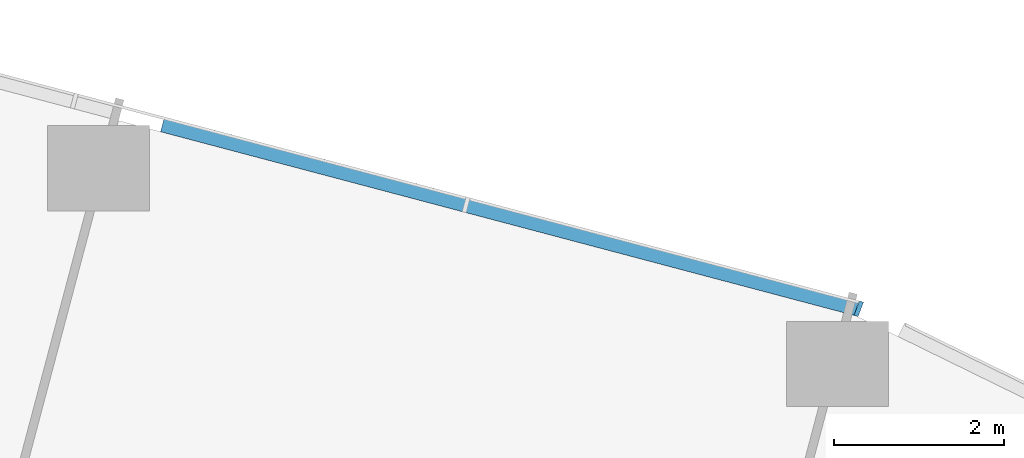
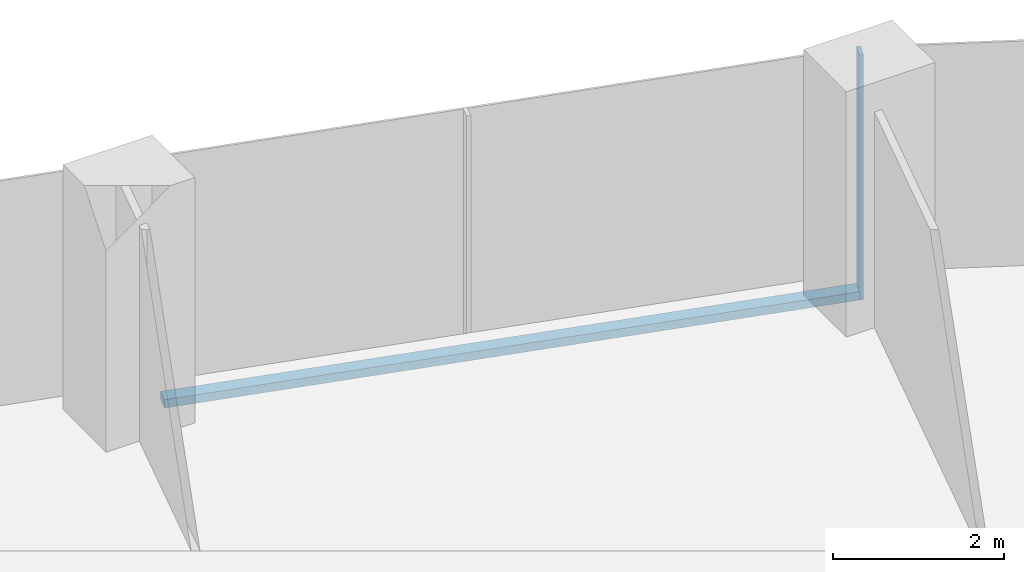
# One storey, part 15 of 34: 2 members, 2 elements without a shape of their own.
"""IFC4 building model written with IfcOpenShell, lengths in metres."""

from ifc_helpers import new_model, si_unit, direction, frame, origin, origin_2d, place, context, subcontext, project, spatial, rectangle, extrude, material, material_profile, profile_set, type_object, element, aggregate, save


model = new_model("IFC4")

# Units and contexts
model_context = context("Model", 3, precision=1e-05, world=origin(), true_north=direction((0.0, 1.0)))
body_context = subcontext(model_context, "Body", "Model", "MODEL_VIEW")
ifc_project = project(units=[si_unit("LENGTHUNIT", "METRE"), si_unit("AREAUNIT", "SQUARE_METRE"), si_unit("VOLUMEUNIT", "CUBIC_METRE"), si_unit("PLANEANGLEUNIT", "RADIAN"), si_unit("MASSUNIT", "GRAM", prefix="KILO")], contexts=[model_context])

# Site, building, storey
site_placement = place(None, origin())
site = spatial("IfcSite", under=ifc_project, at=site_placement, CompositionType="ELEMENT")
building_placement = place(site_placement, origin())
building = spatial("IfcBuilding", under=site, at=building_placement, Name="Orlundy Tower", CompositionType="ELEMENT")
storey_placement = place(building_placement, frame((0.0, 0.0, 112.699951171875)))
storey = spatial("IfcBuildingStorey", under=building, at=storey_placement, Name="L28", CompositionType="ELEMENT", Elevation=112.699951171875)

# Curtain wall, member
ifc_material_1 = material(Name="Aluminium bronze anodised", Category="aluminium")
curtain_wall_type = type_object("IfcCurtainWallType", Name="CW1 wall", PredefinedType="NOTDEFINED", material=ifc_material_1)
curtain_wall_1_placement = place(storey_placement, origin())
curtain_wall_1 = element("IfcCurtainWall", 1, at=curtain_wall_1_placement, inside=storey, type_object=curtain_wall_type, Name="CW1 run 019", PredefinedType="NOTDEFINED")
ifc_material_2 = material(Name="Aluminium bronze anodised", Category="aluminium")
ifc_material_profile_1 = material_profile(ifc_material_2, rectangle(XDim=0.179931640625, YDim=0.050048828125, at=origin_2d()), Name="CW1 mullion 50x180")
ifc_profile_set_1 = profile_set([ifc_material_profile_1], Name="Aluminium bronze anodised")
member_type_1 = type_object("IfcMemberType", Name="CW1 mullion 50x180", PredefinedType="MULLION", material=ifc_profile_set_1)
member_1_placement = place(storey_placement, frame((54.45263671875, 6.36181640625, -0.39990234375), z_axis=(0.0, 0.0, 1.0), x_axis=(0.349570337809, 0.936910123184, 0.0)))
member_1 = element("IfcMember", 2, at=member_1_placement, type_object=member_type_1, Name="CW1 mullion 57", PredefinedType="MULLION", context=body_context, shape_type="SweptSolid", body=[
    extrude(rectangle(XDim=0.179931640625, YDim=0.050048828125, at=origin_2d()), origin(), (0.0, 0.0, 1.0), 3.5),
])
aggregate(curtain_wall_1, [member_1])

curtain_wall_2_placement = place(storey_placement, origin())
curtain_wall_2 = element("IfcCurtainWall", 3, at=curtain_wall_2_placement, inside=storey, type_object=curtain_wall_type, Name="CW1 run 018", PredefinedType="NOTDEFINED")
ifc_material_3 = material(Name="Aluminium bronze anodised", Category="aluminium")
ifc_material_profile_2 = material_profile(ifc_material_3, rectangle(XDim=0.179931640625, YDim=0.1201171875, at=origin_2d()), Name="CW1 transom 180x120")
ifc_profile_set_2 = profile_set([ifc_material_profile_2], Name="Aluminium bronze anodised")
member_type_2 = type_object("IfcMemberType", Name="CW1 transom 180x120", PredefinedType="USERDEFINED", material=ifc_profile_set_2)
member_2_placement = place(storey_placement, frame((46.284912109375, 8.52490234375, -0.33984375), z_axis=(0.96667127117, -0.256020806761, 0.0), x_axis=(0.256020806761, 0.96667127117, 0.0)))
member_2 = element("IfcMember", 4, at=member_2_placement, type_object=member_type_2, Name="CW1 transom", ObjectType="TRANSOM", PredefinedType="USERDEFINED", context=body_context, shape_type="SweptSolid", body=[
    extrude(rectangle(XDim=0.179931640625, YDim=0.1201171875, at=origin_2d()), origin(), (0.0, 0.0, 1.0), 8.424072265625),
])
aggregate(curtain_wall_2, [member_2])

save(model, "model.ifc")
